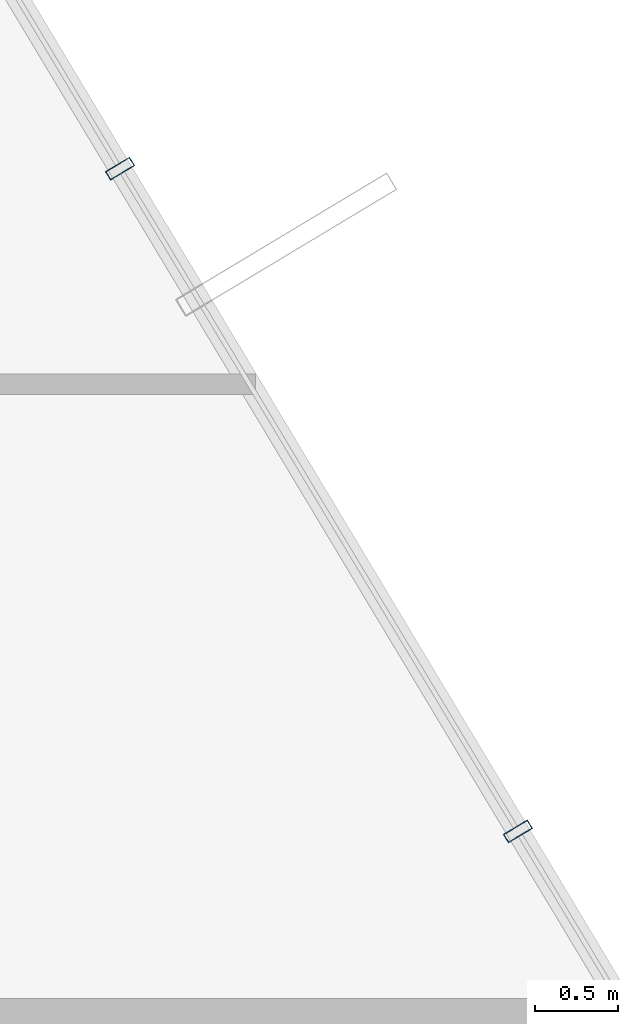
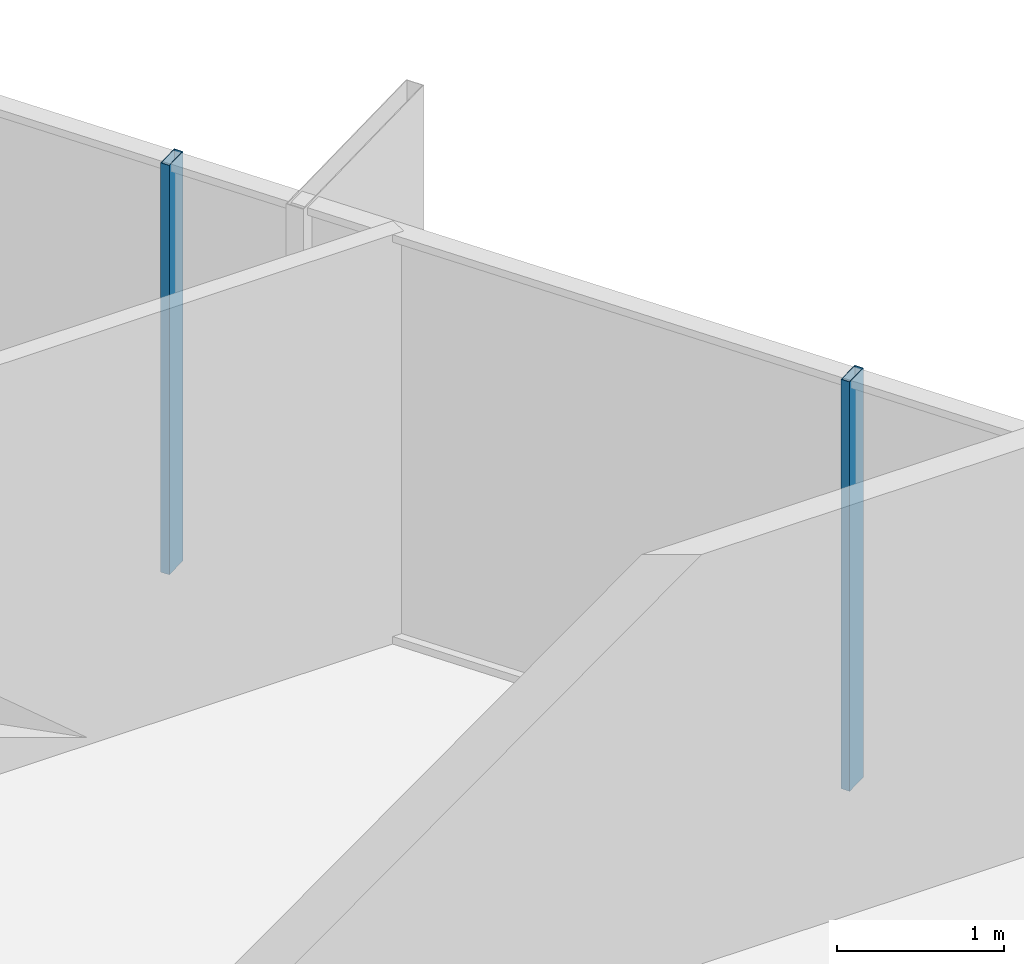
# One storey, part 31 of 39: 2 members, 1 element without a shape of its own.
"""IFC4 building model written with IfcOpenShell, lengths in metres."""

from ifc_helpers import new_model, si_unit, direction, frame, origin, origin_2d, place, context, subcontext, project, spatial, hollow_rectangle, extrude, source, transform, mapped, material, layer, layer_set, material_profile, profile_set, type_object, element, aggregate, save


model = new_model("IFC4")

# Units and contexts
model_context = context("Model", 3, precision=1e-05, world=origin(), true_north=direction((0.0, 1.0)))
body_context = subcontext(model_context, "Body", "Model", "MODEL_VIEW")
ifc_project = project(units=[si_unit("LENGTHUNIT", "METRE"), si_unit("AREAUNIT", "SQUARE_METRE"), si_unit("VOLUMEUNIT", "CUBIC_METRE"), si_unit("PLANEANGLEUNIT", "RADIAN"), si_unit("MASSUNIT", "GRAM", prefix="KILO")], contexts=[model_context])

# Site, building, storey
site_placement = place(None, origin())
site = spatial("IfcSite", under=ifc_project, at=site_placement, CompositionType="ELEMENT")
building_placement = place(site_placement, origin())
building = spatial("IfcBuilding", under=site, at=building_placement, Name="Veraguas Prism Commons", CompositionType="ELEMENT")
storey_placement = place(building_placement, frame((0.0, 0.0, 27.300048828125)))
storey = spatial("IfcBuildingStorey", under=building, at=storey_placement, Name="L06", CompositionType="ELEMENT", Elevation=27.300048828125)

# Curtain wall, members
ifc_material = material(Name="Anodised aluminium EN AW-6063 T6", Category="aluminium")
ifc_layer = layer(ifc_material, 0.169921875, Name="Unitised Flush Curtain Wall Zone 1", Category="aluminium")
ifc_layer_set = layer_set([ifc_layer], Name="Anodised aluminium EN AW-6063 T6")
curtain_wall_type = type_object("IfcCurtainWallType", Name="Unitised Flush Curtain Wall Zone 1", PredefinedType="NOTDEFINED", material=ifc_layer_set)
curtain_wall_placement = place(storey_placement, origin())
curtain_wall = element("IfcCurtainWall", 1, at=curtain_wall_placement, inside=storey, type_object=curtain_wall_type, Name="Tower Facade Curtain Wall L06-F1", PredefinedType="NOTDEFINED")
ifc_material_profile = material_profile(ifc_material, hollow_rectangle(XDim=0.06005859375, YDim=0.169921875, WallThickness=0.00390625, at=origin_2d()), Name="AL60X170X4")
ifc_profile_set = profile_set([ifc_material_profile], Name="Anodised aluminium EN AW-6063 T6")
member_type = type_object("IfcMemberType", Name="Curtain Wall Mullion Lower AL 60x170x4", PredefinedType="MULLION", material=ifc_profile_set)
shared_shape = source(origin(), body_context, "Body", "SweptSolid", [
    extrude(hollow_rectangle(XDim=0.06005859375, YDim=0.169921875, WallThickness=0.00390625, at=origin_2d()), origin(), (0.0, 0.0, 1.0), 3.0),
])
member_1_placement = place(storey_placement, frame((41.819580078125, 34.69873046875, 0.0), z_axis=(0.0, 0.0, 1.0), x_axis=(-0.51473434664, 0.857349725835, 0.0)))
member_1 = element("IfcMember", 2, at=member_1_placement, type_object=member_type, Name="CW-Z1 Mullion 3", PredefinedType="MULLION", context=body_context, shape_type="MappedRepresentation", body=[
    mapped(shared_shape, transform((0.0, 0.0, 0.0), scale=1.0)),
])
member_2_placement = place(storey_placement, frame((39.415283203125, 38.703369140625, 0.0), z_axis=(0.0, 0.0, 1.0), x_axis=(-0.51473434664, 0.857349725835, 0.0)))
member_2 = element("IfcMember", 3, at=member_2_placement, type_object=member_type, Name="CW-Z1 Mullion 4", PredefinedType="MULLION", context=body_context, shape_type="MappedRepresentation", body=[
    mapped(shared_shape, transform((0.0, 0.0, 0.0), scale=1.0)),
])
aggregate(curtain_wall, [member_1, member_2])

save(model, "model.ifc")
